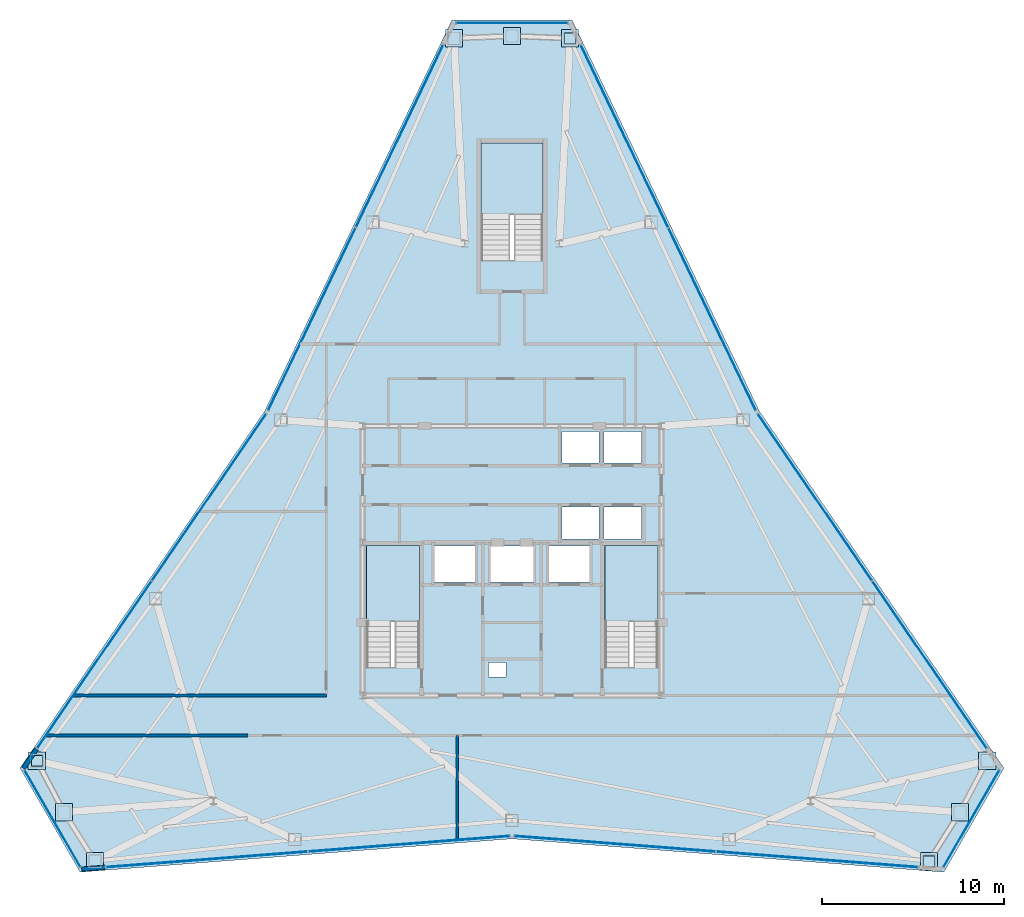
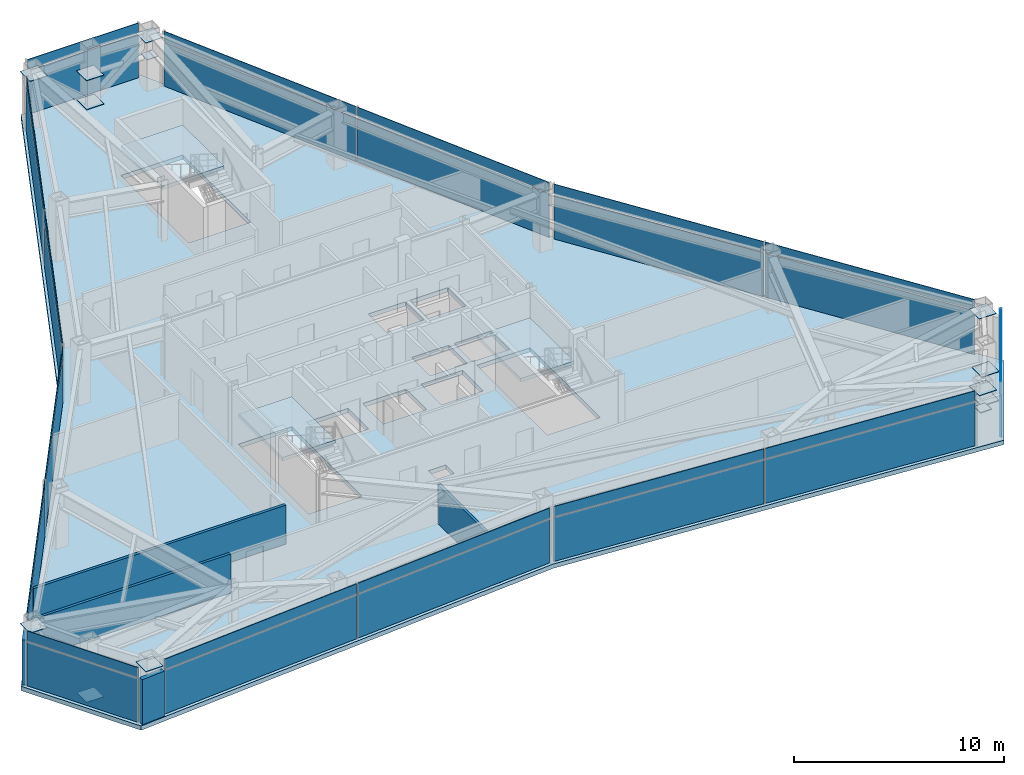
# One storey, part 8 of 12: 45 plates, 5 walls, 4 slabs, 12 elements without a shape of their own.
"""IFC4 building model written with IfcOpenShell, lengths in metres."""

from ifc_helpers import new_model, si_unit, direction, frame, frame_2d, origin, origin_2d, place, context, subcontext, project, spatial, polyline, rectangle, outline, extrude, source, transform, mapped, material, layer, layer_set, type_object, type_shapes, element, aggregate, save


model = new_model("IFC4")

# Units and contexts
model_context = context("Model", 3, precision=1e-05, world=origin(), true_north=direction((0.0, 1.0)))
body_context = subcontext(model_context, "Body", "Model", "MODEL_VIEW")
ifc_project = project(units=[si_unit("LENGTHUNIT", "METRE"), si_unit("AREAUNIT", "SQUARE_METRE"), si_unit("VOLUMEUNIT", "CUBIC_METRE"), si_unit("PLANEANGLEUNIT", "RADIAN"), si_unit("MASSUNIT", "GRAM", prefix="KILO")], contexts=[model_context])

# Site, building, storey
site_placement = place(None, origin())
site = spatial("IfcSite", under=ifc_project, at=site_placement, CompositionType="ELEMENT")
building_placement = place(site_placement, origin())
building = spatial("IfcBuilding", under=site, at=building_placement, Name="Varakhsha Concourse Tower", CompositionType="ELEMENT")
storey_placement = place(building_placement, frame((0.0, 0.0, 222.39990234375)))
storey = spatial("IfcBuildingStorey", under=building, at=storey_placement, Name="L63", CompositionType="ELEMENT", Elevation=222.39990234375)

# Slab
ifc_material_1 = material(Name="Concrete fc 45 MPa", Category="concrete")
ifc_layer_1 = layer(ifc_material_1, 0.25, Name="SL-FLR-250")
ifc_layer_set_1 = layer_set([ifc_layer_1], Name="Concrete fc 45 MPa")
slab_type_1 = type_object("IfcSlabType", Name="SL-FLR-250", PredefinedType="FLOOR", material=ifc_layer_set_1)
slab_1_placement = place(storey_placement, frame((0.0, 0.0, -0.25)))
element("IfcSlab", 1, at=slab_1_placement, inside=storey, type_object=slab_type_1, Name="L63 Composite Structural Slab", PredefinedType="FLOOR", context=body_context, shape_type="SweptSolid", body=[
    extrude(outline(polyline([(43.300048828125, 53.49755859375), (36.699951171875, 53.49755859375), (26.4248046875, 32.03759765625), (12.9775390625, 12.4091796875), (16.277587890625, 6.693359375), (40.0, 8.5244140625), (63.722412109375, 6.693359375), (67.0224609375, 12.4091796875), (53.5751953125, 32.03759765625), (43.300048828125, 53.49755859375)]), holes=[polyline([(34.919921875, 17.93994140625), (34.919921875, 24.6298828125), (32.0, 24.6298828125), (32.0, 17.93994140625), (34.919921875, 17.93994140625)]), polyline([(48.02001953125, 17.93994140625), (48.02001953125, 24.6298828125), (45.10009765625, 24.6298828125), (45.10009765625, 17.93994140625), (48.02001953125, 17.93994140625)]), polyline([(41.699951171875, 40.300048828125), (41.699951171875, 46.75), (38.300048828125, 46.75), (38.300048828125, 40.300048828125), (41.699951171875, 40.300048828125)]), polyline([(42.739990234375, 29.159912109375), (44.780029296875, 29.159912109375), (44.780029296875, 30.89990234375), (42.739990234375, 30.89990234375), (42.739990234375, 29.159912109375)]), polyline([(45.06005859375, 29.159912109375), (47.10009765625, 29.159912109375), (47.10009765625, 30.89990234375), (45.06005859375, 30.89990234375), (45.06005859375, 29.159912109375)]), polyline([(42.739990234375, 25.0), (44.780029296875, 25.0), (44.780029296875, 26.739990234375), (42.739990234375, 26.739990234375), (42.739990234375, 25.0)]), polyline([(45.06005859375, 25.0), (47.10009765625, 25.0), (47.10009765625, 26.739990234375), (45.06005859375, 26.739990234375), (45.06005859375, 25.0)]), polyline([(35.7099609375, 22.639892578125), (37.989990234375, 22.639892578125), (37.989990234375, 24.60009765625), (35.7099609375, 24.60009765625), (35.7099609375, 22.639892578125)]), polyline([(42.010009765625, 22.639892578125), (44.2900390625, 22.639892578125), (44.2900390625, 24.60009765625), (42.010009765625, 24.60009765625), (42.010009765625, 22.639892578125)]), polyline([(38.81005859375, 22.639892578125), (41.18994140625, 22.639892578125), (41.18994140625, 24.60009765625), (38.81005859375, 24.60009765625), (38.81005859375, 22.639892578125)]), polyline([(38.719970703125, 17.39990234375), (39.679931640625, 17.39990234375), (39.679931640625, 18.199951171875), (38.719970703125, 18.199951171875), (38.719970703125, 17.39990234375)])]), origin(), (0.0, 0.0, 1.0), 0.25),
])

# Stair, slab
stair_type_1 = type_object("IfcStairType", Name="ST-DOGLEG-1360", PredefinedType="HALF_TURN_STAIR", material=ifc_material_1)
stair_1_placement = place(storey_placement, origin())
stair_1 = element("IfcStair", 2, at=stair_1_placement, inside=storey, type_object=stair_type_1, Name="L63 Protected Exit Stair ST1", PredefinedType="HALF_TURN_STAIR")
ifc_layer_2 = layer(ifc_material_1, 0.199951171875, Name="SL-LAND-200")
ifc_layer_set_2 = layer_set([ifc_layer_2], Name="Concrete fc 45 MPa")
slab_type_2 = type_object("IfcSlabType", Name="SL-LAND-200", PredefinedType="LANDING", material=ifc_layer_set_2)
slab_2_placement = place(storey_placement, frame((0.0, 0.0, 1.550048828125)))
slab_2 = element("IfcSlab", 3, at=slab_2_placement, type_object=slab_type_2, Name="ST1 landing 1", PredefinedType="LANDING", context=body_context, shape_type="SweptSolid", body=[
    extrude(outline(polyline([(34.919921875, 20.4599609375), (34.919921875, 24.6298828125), (32.0, 24.6298828125), (32.0, 20.4599609375), (34.919921875, 20.4599609375)])), origin(), (0.0, 0.0, 1.0), 0.199951171875),
])
aggregate(stair_1, [slab_2])

stair_2_placement = place(storey_placement, origin())
stair_2 = element("IfcStair", 4, at=stair_2_placement, inside=storey, type_object=stair_type_1, Name="L63 Protected Exit Stair ST2", PredefinedType="HALF_TURN_STAIR")
slab_3_placement = place(storey_placement, frame((0.0, 0.0, 1.550048828125)))
slab_3 = element("IfcSlab", 5, at=slab_3_placement, type_object=slab_type_2, Name="ST2 landing 1", PredefinedType="LANDING", context=body_context, shape_type="SweptSolid", body=[
    extrude(outline(polyline([(48.02001953125, 20.4599609375), (48.02001953125, 24.6298828125), (45.10009765625, 24.6298828125), (45.10009765625, 20.4599609375), (48.02001953125, 20.4599609375)])), origin(), (0.0, 0.0, 1.0), 0.199951171875),
])
aggregate(stair_2, [slab_3])

stair_type_2 = type_object("IfcStairType", Name="ST-DOGLEG-1600", PredefinedType="HALF_TURN_STAIR", material=ifc_material_1)
stair_3_placement = place(storey_placement, origin())
stair_3 = element("IfcStair", 6, at=stair_3_placement, inside=storey, type_object=stair_type_2, Name="L63 Protected Exit Stair ST5", PredefinedType="HALF_TURN_STAIR")
slab_4_placement = place(storey_placement, frame((0.0, 0.0, 1.550048828125)))
slab_4 = element("IfcSlab", 7, at=slab_4_placement, type_object=slab_type_2, Name="ST5 landing 1", PredefinedType="LANDING", context=body_context, shape_type="SweptSolid", body=[
    extrude(outline(polyline([(41.699951171875, 42.820068359375), (41.699951171875, 46.75), (38.300048828125, 46.75), (38.300048828125, 42.820068359375), (41.699951171875, 42.820068359375)])), origin(), (0.0, 0.0, 1.0), 0.199951171875),
])
aggregate(stair_3, [slab_4])

# Plates
ifc_material_2 = material(Name="Structural Steel ASTM A572 Grade 50", Category="steel")
ifc_layer_3 = layer(ifc_material_2, 0.030029296875, Name="PL-ENDCAP-950")
ifc_layer_set_3 = layer_set([ifc_layer_3], Name="Structural Steel ASTM A572 Grade 50")
plate_type_1 = type_object("IfcPlateType", Name="PL-ENDCAP-950", PredefinedType="USERDEFINED", material=ifc_layer_set_3)
shared_shape_1 = source(origin(), body_context, "Body", "SweptSolid", [
    extrude(rectangle(XDim=0.949951171875, YDim=0.949951171875, at=origin_2d()), origin(), (0.0, 0.0, 1.0), 0.030029296875),
])
type_shapes(plate_type_1, [shared_shape_1])
for number, where, z_axis, x_axis, name in (
    (8, (40.0, 52.617431640625, 0.10498046875), (0.0, 0.0, 1.0), (1.0, 0.0, 0.0), "Hollow Section End Cap GP-NODE-L63-0643"),
    (9, (43.186767578125, 52.491943359375, 2.93505859375), (0.0, 0.0, 1.0), (1.0, 0.0, 0.0), "Hollow Section End Cap GP-NODE-L63-0644"),
    (10, (36.813232421875, 52.491943359375, 2.93505859375), (0.0, 0.0, 1.0), (1.0, 0.0, 0.0), "Hollow Section End Cap GP-NODE-L63-0645"),
    (11, (15.3896484375, 9.9912109375, 0.10498046875), (0.0, 0.0, 1.0), (1.0, 0.0, 0.0), "Hollow Section End Cap GP-NODE-L63-0646"),
    (12, (13.905029296875, 12.813720703125, 2.93505859375), (0.0, 0.0, 1.0), (1.0, 0.0, 0.0), "Hollow Section End Cap GP-NODE-L63-0647"),
    (13, (17.091796875, 7.294189453125, 2.93505859375), (0.0, 0.0, 1.0), (1.0, 0.0, 0.0), "Hollow Section End Cap GP-NODE-L63-0648"),
    (14, (64.6103515625, 9.9912109375, 0.10498046875), (0.0, 0.0, 1.0), (1.0, 0.0, 0.0), "Hollow Section End Cap GP-NODE-L63-0649"),
    (15, (62.908203125, 7.294189453125, 2.93505859375), (0.0, 0.0, 1.0), (1.0, 0.0, 0.0), "Hollow Section End Cap GP-NODE-L63-0650"),
    (16, (66.094970703125, 12.813720703125, 2.93505859375), (0.0, 0.0, 1.0), (1.0, 0.0, 0.0), "Hollow Section End Cap GP-NODE-L63-0651"),
    (17, (40.0, 52.617431640625, 1.78515625), (0.0, 0.0, 1.0), (1.0, 0.0, 0.0), "Hollow Section End Cap GP-NODE-L63-0652"),
    (18, (15.3896484375, 9.9912109375, 1.78515625), (0.0, 0.0, 1.0), (1.0, 0.0, 0.0), "Hollow Section End Cap GP-NODE-L63-0653"),
    (19, (64.6103515625, 9.9912109375, 1.78515625), (0.0, 0.0, 1.0), (1.0, 0.0, 0.0), "Hollow Section End Cap GP-NODE-L63-0654"),
):
    element("IfcPlate", number, at=place(storey_placement, frame(where, z_axis=z_axis, x_axis=x_axis)), inside=storey, type_object=plate_type_1, Name=name, ObjectType="END PLATE", PredefinedType="USERDEFINED", context=body_context, shape_type="MappedRepresentation", body=[
        mapped(shared_shape_1, transform((0.0, 0.0, 0.0), scale=1.0)),
    ])
ifc_layer_4 = layer(ifc_material_2, 0.030029296875, Name="PL-BASE-600")
ifc_layer_set_4 = layer_set([ifc_layer_4], Name="Structural Steel ASTM A572 Grade 50")
plate_type_2 = type_object("IfcPlateType", Name="PL-BASE-600", PredefinedType="SHEET", material=ifc_layer_set_4)
shared_shape_2 = source(origin(), body_context, "Body", "SweptSolid", [
    extrude(rectangle(XDim=0.60009765625, YDim=0.60009765625, at=origin_2d()), origin(), (0.0, 0.0, 1.0), 0.030029296875),
])
type_shapes(plate_type_2, [shared_shape_2])
for number, where, z_axis, x_axis, name in (
    (20, (43.186767578125, 52.491943359375, 1.78515625), (0.0, 0.0, 1.0), (1.0, 0.0, 0.0), "Hollow Section End Cap BP-WTIE-L63-1"),
    (21, (13.905029296875, 12.813720703125, 1.78515625), (0.0, 0.0, 1.0), (1.0, 0.0, 0.0), "Hollow Section End Cap BP-WTIE-L63-2"),
    (22, (62.908203125, 7.294189453125, 1.78515625), (0.0, 0.0, 1.0), (1.0, 0.0, 0.0), "Hollow Section End Cap BP-WTIE-L63-3"),
):
    element("IfcPlate", number, at=place(storey_placement, frame(where, z_axis=z_axis, x_axis=x_axis)), inside=storey, type_object=plate_type_2, Name=name, PredefinedType="SHEET", context=body_context, shape_type="MappedRepresentation", body=[
        mapped(shared_shape_2, transform((0.0, 0.0, 0.0), scale=1.0)),
    ])

# Curtain wall, plates
ifc_material_3 = material(Name="Anodised Bronze Architectural Aluminium AA 6063-T6", Category="aluminium")
ifc_layer_5 = layer(ifc_material_3, 0.199951171875, Name="CW-SYS-05")
ifc_layer_set_5 = layer_set([ifc_layer_5], Name="Anodised Bronze Architectural Aluminium AA 6063-T6")
curtain_wall_type = type_object("IfcCurtainWallType", Name="CW-SYS-05", PredefinedType="NOTDEFINED", material=ifc_layer_set_5)
curtain_wall_1_placement = place(storey_placement, origin())
curtain_wall_1 = element("IfcCurtainWall", 23, at=curtain_wall_1_placement, inside=storey, type_object=curtain_wall_type, Name="L63 Crystal Curtain Wall F2", PredefinedType="NOTDEFINED")
ifc_material_4 = material(Name="Low-E Triple Insulating Glass IGU 44 mm", Category="glass")
ifc_layer_6 = layer(ifc_material_4, 0.0439453125, Name="CWP-IGU-44")
ifc_layer_set_6 = layer_set([ifc_layer_6], Name="Low-E Triple Insulating Glass IGU 44 mm")
plate_type_3 = type_object("IfcPlateType", Name="CWP-IGU-44", PredefinedType="CURTAIN_PANEL", material=ifc_layer_set_6)
shared_shape_3 = source(origin(), body_context, "Body", "SweptSolid", [
    extrude(rectangle(XDim=11.077392578125, YDim=0.0439453125, at=origin_2d()), origin(), (0.0, 0.0, 1.0), 2.535888671875),
])
type_shapes(plate_type_3, [shared_shape_3])
plate_1_placement = place(storey_placement, frame((29.010498046875, 37.0673828125, 0.0322265625), z_axis=(0.0, 0.0, 1.0), x_axis=(0.431862228288, 0.901939585437, 0.0)))
plate_1 = element("IfcPlate", 24, at=plate_1_placement, type_object=plate_type_3, Name="CW-L63-F2 Panel 00-00", PredefinedType="CURTAIN_PANEL", context=body_context, shape_type="MappedRepresentation", body=[
    mapped(shared_shape_3, transform((0.0, 0.0, 0.0), scale=1.0)),
])
plate_2_placement = place(storey_placement, frame((33.82421875, 47.12109375, 0.0322265625), z_axis=(0.0, 0.0, 1.0), x_axis=(0.431862228288, 0.901939585437, 0.0)))
plate_2 = element("IfcPlate", 25, at=plate_2_placement, type_object=plate_type_3, Name="CW-L63-F2 Panel 01-00", PredefinedType="CURTAIN_PANEL", context=body_context, shape_type="MappedRepresentation", body=[
    mapped(shared_shape_3, transform((0.0, 0.0, 0.0), scale=1.0)),
])

curtain_wall_2_placement = place(storey_placement, origin())
curtain_wall_2 = element("IfcCurtainWall", 26, at=curtain_wall_2_placement, inside=storey, type_object=curtain_wall_type, Name="L63 Crystal Curtain Wall F3", PredefinedType="NOTDEFINED")
plate_3_placement = place(storey_placement, frame((17.06201171875, 18.087890625, 0.0322265625), z_axis=(0.0, 0.0, 1.0), x_axis=(0.565172919372, 0.82497246694, 0.0)))
plate_3 = element("IfcPlate", 27, at=plate_3_placement, type_object=plate_type_3, Name="CW-L63-F3 Panel 00-00", PredefinedType="CURTAIN_PANEL", context=body_context, shape_type="MappedRepresentation", body=[
    mapped(shared_shape_3, transform((0.0, 0.0, 0.0), scale=1.0)),
])
plate_4_placement = place(storey_placement, frame((23.36181640625, 27.283447265625, 0.0322265625), z_axis=(0.0, 0.0, 1.0), x_axis=(0.565172919372, 0.82497246694, 0.0)))
plate_4 = element("IfcPlate", 28, at=plate_4_placement, type_object=plate_type_3, Name="CW-L63-F3 Panel 01-00", PredefinedType="CURTAIN_PANEL", context=body_context, shape_type="MappedRepresentation", body=[
    mapped(shared_shape_3, transform((0.0, 0.0, 0.0), scale=1.0)),
])

curtain_wall_3_placement = place(storey_placement, origin())
curtain_wall_3 = element("IfcCurtainWall", 29, at=curtain_wall_3_placement, inside=storey, type_object=curtain_wall_type, Name="L63 Crystal Curtain Wall F5", PredefinedType="NOTDEFINED")
plate_5_placement = place(storey_placement, frame((34.351318359375, 8.2490234375, 0.0322265625), z_axis=(0.0, 0.0, 1.0), x_axis=(-0.997034110791, -0.076960911628, 0.0)))
plate_5 = element("IfcPlate", 30, at=plate_5_placement, type_object=plate_type_3, Name="CW-L63-F5 Panel 00-00", PredefinedType="CURTAIN_PANEL", context=body_context, shape_type="MappedRepresentation", body=[
    mapped(shared_shape_3, transform((0.0, 0.0, 0.0), scale=1.0)),
])
plate_6_placement = place(storey_placement, frame((23.23779296875, 7.39111328125, 0.0322265625), z_axis=(0.0, 0.0, 1.0), x_axis=(-0.997034110791, -0.076960911628, 0.0)))
plate_6 = element("IfcPlate", 31, at=plate_6_placement, type_object=plate_type_3, Name="CW-L63-F5 Panel 01-00", PredefinedType="CURTAIN_PANEL", context=body_context, shape_type="MappedRepresentation", body=[
    mapped(shared_shape_3, transform((0.0, 0.0, 0.0), scale=1.0)),
])

curtain_wall_4_placement = place(storey_placement, origin())
curtain_wall_4 = element("IfcCurtainWall", 32, at=curtain_wall_4_placement, inside=storey, type_object=curtain_wall_type, Name="L63 Crystal Curtain Wall F6", PredefinedType="NOTDEFINED")
plate_7_placement = place(storey_placement, frame((56.76220703125, 7.39111328125, 0.0322265625), z_axis=(0.0, 0.0, 1.0), x_axis=(-0.997034110791, 0.076960911628, 0.0)))
plate_7 = element("IfcPlate", 33, at=plate_7_placement, type_object=plate_type_3, Name="CW-L63-F6 Panel 00-00", PredefinedType="CURTAIN_PANEL", context=body_context, shape_type="MappedRepresentation", body=[
    mapped(shared_shape_3, transform((0.0, 0.0, 0.0), scale=1.0)),
])
plate_8_placement = place(storey_placement, frame((45.648681640625, 8.2490234375, 0.0322265625), z_axis=(0.0, 0.0, 1.0), x_axis=(-0.997034110791, 0.076960911628, 0.0)))
plate_8 = element("IfcPlate", 34, at=plate_8_placement, type_object=plate_type_3, Name="CW-L63-F6 Panel 01-00", PredefinedType="CURTAIN_PANEL", context=body_context, shape_type="MappedRepresentation", body=[
    mapped(shared_shape_3, transform((0.0, 0.0, 0.0), scale=1.0)),
])

curtain_wall_5_placement = place(storey_placement, origin())
curtain_wall_5 = element("IfcCurtainWall", 35, at=curtain_wall_5_placement, inside=storey, type_object=curtain_wall_type, Name="L63 Crystal Curtain Wall F8", PredefinedType="NOTDEFINED")
plate_9_placement = place(storey_placement, frame((56.638427734375, 27.283447265625, 0.0322265625), z_axis=(0.0, 0.0, 1.0), x_axis=(0.565172919372, -0.82497246694, 0.0)))
plate_9 = element("IfcPlate", 36, at=plate_9_placement, type_object=plate_type_3, Name="CW-L63-F8 Panel 00-00", PredefinedType="CURTAIN_PANEL", context=body_context, shape_type="MappedRepresentation", body=[
    mapped(shared_shape_3, transform((0.0, 0.0, 0.0), scale=1.0)),
])
plate_10_placement = place(storey_placement, frame((62.93798828125, 18.087890625, 0.0322265625), z_axis=(0.0, 0.0, 1.0), x_axis=(0.565172919372, -0.82497246694, 0.0)))
plate_10 = element("IfcPlate", 37, at=plate_10_placement, type_object=plate_type_3, Name="CW-L63-F8 Panel 01-00", PredefinedType="CURTAIN_PANEL", context=body_context, shape_type="MappedRepresentation", body=[
    mapped(shared_shape_3, transform((0.0, 0.0, 0.0), scale=1.0)),
])

curtain_wall_6_placement = place(storey_placement, origin())
curtain_wall_6 = element("IfcCurtainWall", 38, at=curtain_wall_6_placement, inside=storey, type_object=curtain_wall_type, Name="L63 Crystal Curtain Wall F9", PredefinedType="NOTDEFINED")
plate_11_placement = place(storey_placement, frame((46.17578125, 47.12109375, 0.0322265625), z_axis=(0.0, 0.0, 1.0), x_axis=(0.431862228288, -0.901939585437, 0.0)))
plate_11 = element("IfcPlate", 39, at=plate_11_placement, type_object=plate_type_3, Name="CW-L63-F9 Panel 00-00", PredefinedType="CURTAIN_PANEL", context=body_context, shape_type="MappedRepresentation", body=[
    mapped(shared_shape_3, transform((0.0, 0.0, 0.0), scale=1.0)),
])
plate_12_placement = place(storey_placement, frame((50.989501953125, 37.0673828125, 0.0322265625), z_axis=(0.0, 0.0, 1.0), x_axis=(0.431862228288, -0.901939585437, 0.0)))
plate_12 = element("IfcPlate", 40, at=plate_12_placement, type_object=plate_type_3, Name="CW-L63-F9 Panel 01-00", PredefinedType="CURTAIN_PANEL", context=body_context, shape_type="MappedRepresentation", body=[
    mapped(shared_shape_3, transform((0.0, 0.0, 0.0), scale=1.0)),
])

# Plate
ifc_material_5 = material(Name="Insulated Anodised Bronze Aluminium Spandrel 36 mm", Category="aluminium")
ifc_layer_7 = layer(ifc_material_5, 0.035888671875, Name="CWP-SPN-36")
ifc_layer_set_7 = layer_set([ifc_layer_7], Name="Insulated Anodised Bronze Aluminium Spandrel 36 mm")
plate_type_4 = type_object("IfcPlateType", Name="CWP-SPN-36", PredefinedType="USERDEFINED", material=ifc_layer_set_7)
shared_shape_4 = source(origin(), body_context, "Body", "SweptSolid", [
    extrude(rectangle(XDim=11.077392578125, YDim=0.035888671875, at=origin_2d()), origin(), (0.0, 0.0, 1.0), 0.5859375),
])
plate_13_placement = place(storey_placement, frame((29.010498046875, 37.0673828125, 2.632080078125), z_axis=(0.0, 0.0, 1.0), x_axis=(0.431862228288, 0.901939585437, 0.0)))
plate_13 = element("IfcPlate", 41, at=plate_13_placement, type_object=plate_type_4, Name="CW-L63-F2 Panel 00-01", ObjectType="SPANDREL", PredefinedType="USERDEFINED", context=body_context, shape_type="MappedRepresentation", body=[
    mapped(shared_shape_4, transform((0.0, 0.0, 0.0), scale=1.0)),
])

plate_14_placement = place(storey_placement, frame((33.82421875, 47.12109375, 2.632080078125), z_axis=(0.0, 0.0, 1.0), x_axis=(0.431862228288, 0.901939585437, 0.0)))
plate_14 = element("IfcPlate", 42, at=plate_14_placement, type_object=plate_type_4, Name="CW-L63-F2 Panel 01-01", ObjectType="SPANDREL", PredefinedType="USERDEFINED", context=body_context, shape_type="MappedRepresentation", body=[
    mapped(shared_shape_4, transform((0.0, 0.0, 0.0), scale=1.0)),
])

aggregate(curtain_wall_1, [plate_1, plate_13, plate_2, plate_14])

plate_15_placement = place(storey_placement, frame((17.06201171875, 18.087890625, 2.632080078125), z_axis=(0.0, 0.0, 1.0), x_axis=(0.565172919372, 0.82497246694, 0.0)))
plate_15 = element("IfcPlate", 43, at=plate_15_placement, type_object=plate_type_4, Name="CW-L63-F3 Panel 00-01", ObjectType="SPANDREL", PredefinedType="USERDEFINED", context=body_context, shape_type="MappedRepresentation", body=[
    mapped(shared_shape_4, transform((0.0, 0.0, 0.0), scale=1.0)),
])

plate_16_placement = place(storey_placement, frame((23.36181640625, 27.283447265625, 2.632080078125), z_axis=(0.0, 0.0, 1.0), x_axis=(0.565172919372, 0.82497246694, 0.0)))
plate_16 = element("IfcPlate", 44, at=plate_16_placement, type_object=plate_type_4, Name="CW-L63-F3 Panel 01-01", ObjectType="SPANDREL", PredefinedType="USERDEFINED", context=body_context, shape_type="MappedRepresentation", body=[
    mapped(shared_shape_4, transform((0.0, 0.0, 0.0), scale=1.0)),
])

aggregate(curtain_wall_2, [plate_3, plate_15, plate_4, plate_16])

plate_17_placement = place(storey_placement, frame((34.351318359375, 8.2490234375, 2.632080078125), z_axis=(0.0, 0.0, 1.0), x_axis=(-0.997034110791, -0.076960911628, 0.0)))
plate_17 = element("IfcPlate", 45, at=plate_17_placement, type_object=plate_type_4, Name="CW-L63-F5 Panel 00-01", ObjectType="SPANDREL", PredefinedType="USERDEFINED", context=body_context, shape_type="MappedRepresentation", body=[
    mapped(shared_shape_4, transform((0.0, 0.0, 0.0), scale=1.0)),
])

plate_18_placement = place(storey_placement, frame((23.23779296875, 7.39111328125, 2.632080078125), z_axis=(0.0, 0.0, 1.0), x_axis=(-0.997034110791, -0.076960911628, 0.0)))
plate_18 = element("IfcPlate", 46, at=plate_18_placement, type_object=plate_type_4, Name="CW-L63-F5 Panel 01-01", ObjectType="SPANDREL", PredefinedType="USERDEFINED", context=body_context, shape_type="MappedRepresentation", body=[
    mapped(shared_shape_4, transform((0.0, 0.0, 0.0), scale=1.0)),
])

aggregate(curtain_wall_3, [plate_5, plate_17, plate_6, plate_18])

plate_19_placement = place(storey_placement, frame((56.76220703125, 7.39111328125, 2.632080078125), z_axis=(0.0, 0.0, 1.0), x_axis=(-0.997034110791, 0.076960911628, 0.0)))
plate_19 = element("IfcPlate", 47, at=plate_19_placement, type_object=plate_type_4, Name="CW-L63-F6 Panel 00-01", ObjectType="SPANDREL", PredefinedType="USERDEFINED", context=body_context, shape_type="MappedRepresentation", body=[
    mapped(shared_shape_4, transform((0.0, 0.0, 0.0), scale=1.0)),
])

plate_20_placement = place(storey_placement, frame((45.648681640625, 8.2490234375, 2.632080078125), z_axis=(0.0, 0.0, 1.0), x_axis=(-0.997034110791, 0.076960911628, 0.0)))
plate_20 = element("IfcPlate", 48, at=plate_20_placement, type_object=plate_type_4, Name="CW-L63-F6 Panel 01-01", ObjectType="SPANDREL", PredefinedType="USERDEFINED", context=body_context, shape_type="MappedRepresentation", body=[
    mapped(shared_shape_4, transform((0.0, 0.0, 0.0), scale=1.0)),
])

aggregate(curtain_wall_4, [plate_7, plate_19, plate_8, plate_20])

plate_21_placement = place(storey_placement, frame((56.638427734375, 27.283447265625, 2.632080078125), z_axis=(0.0, 0.0, 1.0), x_axis=(0.565172919372, -0.82497246694, 0.0)))
plate_21 = element("IfcPlate", 49, at=plate_21_placement, type_object=plate_type_4, Name="CW-L63-F8 Panel 00-01", ObjectType="SPANDREL", PredefinedType="USERDEFINED", context=body_context, shape_type="MappedRepresentation", body=[
    mapped(shared_shape_4, transform((0.0, 0.0, 0.0), scale=1.0)),
])

plate_22_placement = place(storey_placement, frame((62.93798828125, 18.087890625, 2.632080078125), z_axis=(0.0, 0.0, 1.0), x_axis=(0.565172919372, -0.82497246694, 0.0)))
plate_22 = element("IfcPlate", 50, at=plate_22_placement, type_object=plate_type_4, Name="CW-L63-F8 Panel 01-01", ObjectType="SPANDREL", PredefinedType="USERDEFINED", context=body_context, shape_type="MappedRepresentation", body=[
    mapped(shared_shape_4, transform((0.0, 0.0, 0.0), scale=1.0)),
])

aggregate(curtain_wall_5, [plate_9, plate_21, plate_10, plate_22])

plate_23_placement = place(storey_placement, frame((46.17578125, 47.12109375, 2.632080078125), z_axis=(0.0, 0.0, 1.0), x_axis=(0.431862228288, -0.901939585437, 0.0)))
plate_23 = element("IfcPlate", 51, at=plate_23_placement, type_object=plate_type_4, Name="CW-L63-F9 Panel 00-01", ObjectType="SPANDREL", PredefinedType="USERDEFINED", context=body_context, shape_type="MappedRepresentation", body=[
    mapped(shared_shape_4, transform((0.0, 0.0, 0.0), scale=1.0)),
])

plate_24_placement = place(storey_placement, frame((50.989501953125, 37.0673828125, 2.632080078125), z_axis=(0.0, 0.0, 1.0), x_axis=(0.431862228288, -0.901939585437, 0.0)))
plate_24 = element("IfcPlate", 52, at=plate_24_placement, type_object=plate_type_4, Name="CW-L63-F9 Panel 01-01", ObjectType="SPANDREL", PredefinedType="USERDEFINED", context=body_context, shape_type="MappedRepresentation", body=[
    mapped(shared_shape_4, transform((0.0, 0.0, 0.0), scale=1.0)),
])

aggregate(curtain_wall_6, [plate_11, plate_23, plate_12, plate_24])

# Curtain wall, plate
curtain_wall_7_placement = place(storey_placement, origin())
curtain_wall_7 = element("IfcCurtainWall", 53, at=curtain_wall_7_placement, inside=storey, type_object=curtain_wall_type, Name="L63 Chamfer Curtain Wall F1", PredefinedType="NOTDEFINED")
shared_shape_5 = source(origin(), body_context, "Body", "SweptSolid", [
    extrude(rectangle(XDim=6.091064453125, YDim=0.035888671875, at=origin_2d()), origin(), (0.0, 0.0, 1.0), 2.535888671875),
])
plate_25_placement = place(storey_placement, frame((40.0, 53.33740234375, 0.0322265625), z_axis=(0.0, 0.0, 1.0), x_axis=(1.0, 0.0, 0.0)))
plate_25 = element("IfcPlate", 54, at=plate_25_placement, type_object=plate_type_4, Name="CW-L63-F1 Panel 00-00", ObjectType="SPANDREL", PredefinedType="USERDEFINED", context=body_context, shape_type="MappedRepresentation", body=[
    mapped(shared_shape_5, transform((0.0, 0.0, 0.0), scale=1.0)),
])

curtain_wall_8_placement = place(storey_placement, origin())
curtain_wall_8 = element("IfcCurtainWall", 55, at=curtain_wall_8_placement, inside=storey, type_object=curtain_wall_type, Name="L63 Chamfer Curtain Wall F4", PredefinedType="NOTDEFINED")
plate_26_placement = place(storey_placement, frame((14.76611328125, 9.631103515625, 0.0322265625), z_axis=(0.0, 0.0, 1.0), x_axis=(-0.49999395399, 0.866028894422, 0.0)))
plate_26 = element("IfcPlate", 56, at=plate_26_placement, type_object=plate_type_4, Name="CW-L63-F4 Panel 00-00", ObjectType="SPANDREL", PredefinedType="USERDEFINED", context=body_context, shape_type="MappedRepresentation", body=[
    mapped(shared_shape_5, transform((0.0, 0.0, 0.0), scale=1.0)),
])

curtain_wall_9_placement = place(storey_placement, origin())
curtain_wall_9 = element("IfcCurtainWall", 57, at=curtain_wall_9_placement, inside=storey, type_object=curtain_wall_type, Name="L63 Chamfer Curtain Wall F7", PredefinedType="NOTDEFINED")
plate_27_placement = place(storey_placement, frame((65.23388671875, 9.631103515625, 0.0322265625), z_axis=(0.0, 0.0, 1.0), x_axis=(-0.49999395399, -0.866028894422, 0.0)))
plate_27 = element("IfcPlate", 58, at=plate_27_placement, type_object=plate_type_4, Name="CW-L63-F7 Panel 00-00", ObjectType="SPANDREL", PredefinedType="USERDEFINED", context=body_context, shape_type="MappedRepresentation", body=[
    mapped(shared_shape_5, transform((0.0, 0.0, 0.0), scale=1.0)),
])

# Plate
shared_shape_6 = source(origin(), body_context, "Body", "SweptSolid", [
    extrude(rectangle(XDim=6.091064453125, YDim=0.035888671875, at=origin_2d()), origin(), (0.0, 0.0, 1.0), 0.5859375),
])
type_shapes(plate_type_4, [shared_shape_4, shared_shape_5, shared_shape_6])
plate_28_placement = place(storey_placement, frame((40.0, 53.33740234375, 2.632080078125), z_axis=(0.0, 0.0, 1.0), x_axis=(1.0, 0.0, 0.0)))
plate_28 = element("IfcPlate", 59, at=plate_28_placement, type_object=plate_type_4, Name="CW-L63-F1 Panel 00-01", ObjectType="SPANDREL", PredefinedType="USERDEFINED", context=body_context, shape_type="MappedRepresentation", body=[
    mapped(shared_shape_6, transform((0.0, 0.0, 0.0), scale=1.0)),
])

aggregate(curtain_wall_7, [plate_25, plate_28])

plate_29_placement = place(storey_placement, frame((14.76611328125, 9.631103515625, 2.632080078125), z_axis=(0.0, 0.0, 1.0), x_axis=(-0.49999395399, 0.866028894422, 0.0)))
plate_29 = element("IfcPlate", 60, at=plate_29_placement, type_object=plate_type_4, Name="CW-L63-F4 Panel 00-01", ObjectType="SPANDREL", PredefinedType="USERDEFINED", context=body_context, shape_type="MappedRepresentation", body=[
    mapped(shared_shape_6, transform((0.0, 0.0, 0.0), scale=1.0)),
])

aggregate(curtain_wall_8, [plate_26, plate_29])

plate_30_placement = place(storey_placement, frame((65.23388671875, 9.631103515625, 2.632080078125), z_axis=(0.0, 0.0, 1.0), x_axis=(-0.49999395399, -0.866028894422, 0.0)))
plate_30 = element("IfcPlate", 61, at=plate_30_placement, type_object=plate_type_4, Name="CW-L63-F7 Panel 00-01", ObjectType="SPANDREL", PredefinedType="USERDEFINED", context=body_context, shape_type="MappedRepresentation", body=[
    mapped(shared_shape_6, transform((0.0, 0.0, 0.0), scale=1.0)),
])

aggregate(curtain_wall_9, [plate_27, plate_30])

# Walls
ifc_layer_8 = layer(ifc_material_1, 0.239990234375, Name="WL-EXT-CRN-240")
ifc_layer_set_8 = layer_set([ifc_layer_8], Name="Concrete fc 45 MPa")
wall_type_1 = type_object("IfcWallType", Name="WL-EXT-CRN-240", PredefinedType="SHEAR", material=ifc_layer_set_8)
wall_1_placement = place(storey_placement, frame((13.893798828125, 13.46337890625, 0.0), z_axis=(0.0, 0.0, 1.0), x_axis=(-0.565269764291, -0.824906111978, 0.0)))
element("IfcWall", 62, at=wall_1_placement, inside=storey, type_object=wall_type_1, Name="L63 Wind-Corner Shoulder Wall F3", PredefinedType="SHEAR", context=body_context, shape_type="SweptSolid", body=[
    extrude(rectangle(XDim=1.284423828125, YDim=0.239990234375, at=frame_2d((0.64208984375, 0.0))), origin(), (0.0, 0.0, 1.0), 2.623046875),
])
wall_2_placement = place(storey_placement, frame((16.367919921875, 6.86083984375, 0.0), z_axis=(0.0, 0.0, 1.0), x_axis=(0.997033205721, 0.076972635974, 0.0)))
element("IfcWall", 63, at=wall_2_placement, inside=storey, type_object=wall_type_1, Name="L63 Wind-Corner Shoulder Wall F5", PredefinedType="SHEAR", context=body_context, shape_type="SweptSolid", body=[
    extrude(rectangle(XDim=1.28466796875, YDim=0.239990234375, at=frame_2d((0.642333984375, 0.0))), origin(), (0.0, 0.0, 1.0), 2.623046875),
])
ifc_material_6 = material(Name="Fire-Rated Type X Gypsum Partition Assembly", Category="gypsum")
ifc_layer_9 = layer(ifc_material_6, 0.14990234375, Name="WL-PART-150")
ifc_layer_set_9 = layer_set([ifc_layer_9], Name="Fire-Rated Type X Gypsum Partition Assembly")
wall_type_2 = type_object("IfcWallType", Name="WL-PART-150", PredefinedType="PARTITIONING", material=ifc_layer_set_9)
wall_3_placement = place(storey_placement, frame((14.404541015625, 14.199951171875, 0.0), z_axis=(0.0, 0.0, 1.0), x_axis=(1.0, 0.0, 0.0)))
element("IfcWall", 64, at=wall_3_placement, inside=storey, type_object=wall_type_2, Name="L63 Wall CRW-SGAL-SW-L63", PredefinedType="PARTITIONING", context=body_context, shape_type="SweptSolid", body=[
    extrude(rectangle(XDim=11.095458984375, YDim=0.14990234375, at=frame_2d((5.5478515625, 0.0))), origin(), (0.0, 0.0, 1.0), 2.26513671875),
])
wall_4_placement = place(storey_placement, frame((15.91162109375, 16.39990234375, 0.0), z_axis=(0.0, 0.0, 1.0), x_axis=(1.0, 0.0, 0.0)))
element("IfcWall", 65, at=wall_4_placement, inside=storey, type_object=wall_type_2, Name="L63 Wall CRW-SGAL-NW-L63", PredefinedType="PARTITIONING", context=body_context, shape_type="SweptSolid", body=[
    extrude(rectangle(XDim=13.888427734375, YDim=0.14990234375, at=frame_2d((6.9443359375, 0.0))), origin(), (0.0, 0.0, 1.0), 2.26513671875),
])
wall_5_placement = place(storey_placement, frame((37.0, 8.45849609375, 0.0), z_axis=(0.0, 0.0, 1.0), x_axis=(0.0, 1.0, 0.0)))
element("IfcWall", 66, at=wall_5_placement, inside=storey, type_object=wall_type_2, Name="L63 Wall ODIV-S1-L63", PredefinedType="PARTITIONING", context=body_context, shape_type="SweptSolid", body=[
    extrude(rectangle(XDim=5.741455078125, YDim=0.14990234375, at=frame_2d((2.87060546875, 0.0))), origin(), (0.0, 0.0, 1.0), 2.26513671875),
])

save(model, "model.ifc")
